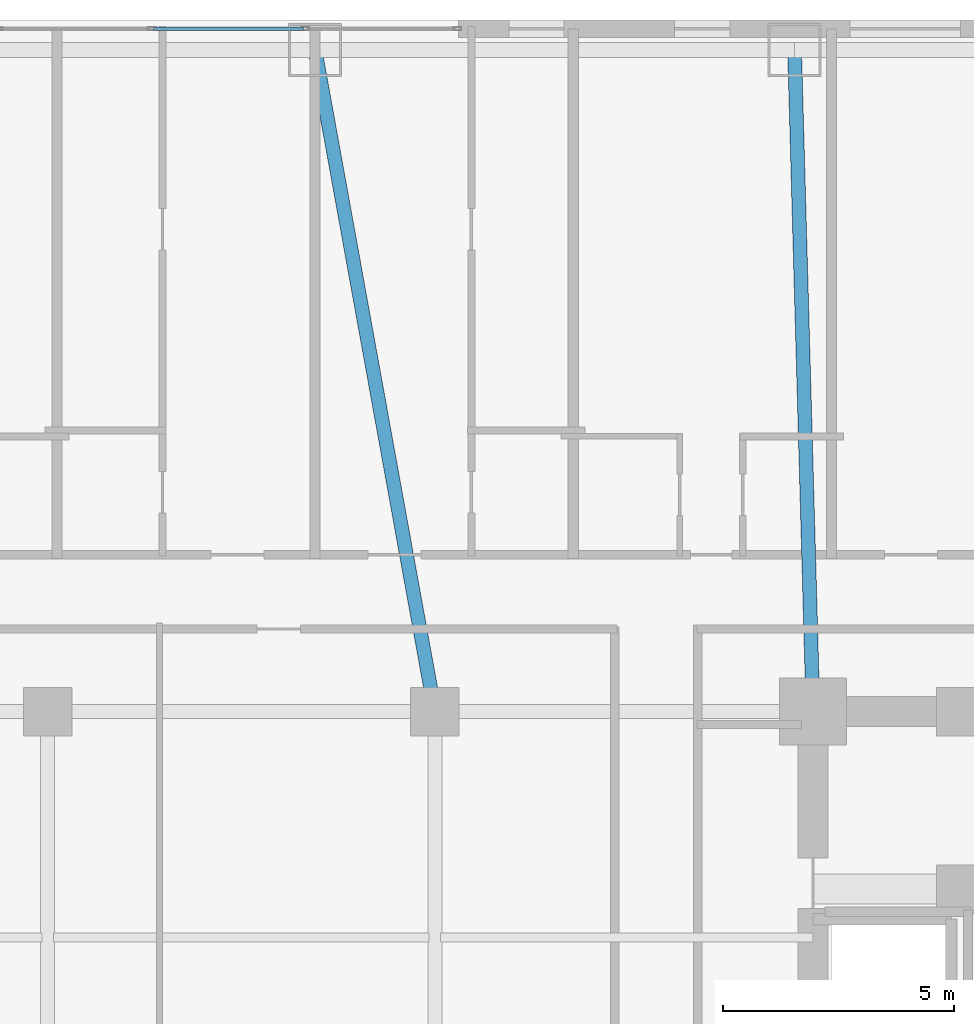
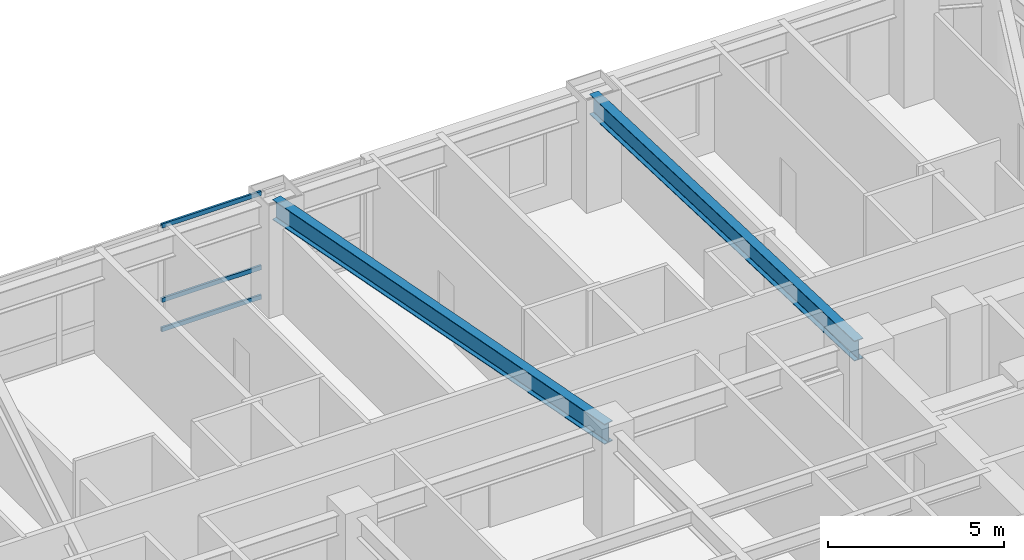
# One storey, part 17 of 28: 3 members, 2 beams, 1 element without a shape of its own.
"""IFC4 building model written with IfcOpenShell, lengths in metres."""

from ifc_helpers import new_model, si_unit, direction, frame, origin, origin_2d, place, context, subcontext, project, spatial, hollow_rectangle, i_section, extrude, material, layer, layer_set, material_profile, profile_set, type_object, element, aggregate, save


model = new_model("IFC4")

# Units and contexts
model_context = context("Model", 3, precision=1e-05, world=origin(), true_north=direction((0.0, 1.0)))
body_context = subcontext(model_context, "Body", "Model", "MODEL_VIEW")
ifc_project = project(units=[si_unit("LENGTHUNIT", "METRE"), si_unit("AREAUNIT", "SQUARE_METRE"), si_unit("VOLUMEUNIT", "CUBIC_METRE"), si_unit("PLANEANGLEUNIT", "RADIAN"), si_unit("MASSUNIT", "GRAM", prefix="KILO")], contexts=[model_context])

# Site, building, storey
site_placement = place(None, origin())
site = spatial("IfcSite", under=ifc_project, at=site_placement, CompositionType="ELEMENT")
building_placement = place(site_placement, origin())
building = spatial("IfcBuilding", under=site, at=building_placement, Name="Voryun Gate Residences", CompositionType="ELEMENT")
storey_placement = place(building_placement, frame((0.0, 0.0, 61.10009765625)))
storey = spatial("IfcBuildingStorey", under=building, at=storey_placement, Name="L14", CompositionType="ELEMENT", Elevation=61.10009765625)

# Beams
ifc_material_1 = material(Name="Steel SM355", Category="steel")
ifc_material_profile_1 = material_profile(ifc_material_1, i_section(OverallWidth=0.300048828125, OverallDepth=0.699951171875, WebThickness=0.012939453125, FlangeThickness=0.02392578125, FilletRadius=0.01806640625, at=origin_2d()), Name="H-700x300x13x24")
ifc_profile_set_1 = profile_set([ifc_material_profile_1], Name="Steel SM355")
beam_type = type_object("IfcBeamType", Name="BM_GIRD_700", PredefinedType="USERDEFINED", material=ifc_profile_set_1)
beam_1_placement = place(storey_placement, frame((12.39990234375, 7.39990234375, 3.2998046875), z_axis=(-0.0278567548, 0.999611925305, 0.0), x_axis=(-0.999611925305, -0.0278567548, 0.0)))
element("IfcBeam", 1, at=beam_1_placement, inside=storey, type_object=beam_type, Name="BM-L14-RAD-N2", ObjectType="GIRDER", PredefinedType="USERDEFINED", context=body_context, shape_type="SweptSolid", body=[
    extrude(i_section(OverallWidth=0.300048828125, OverallDepth=0.699951171875, WebThickness=0.012939453125, FlangeThickness=0.02392578125, FilletRadius=0.01806640625, at=origin_2d()), origin(), (0.0, 0.0, 1.0), 14.355712890625),
])
beam_2_placement = place(storey_placement, frame((4.199951171875, 7.39990234375, 3.2998046875), z_axis=(-0.178271088758, 0.983981411874, 0.0), x_axis=(-0.983981411874, -0.178271088758, 0.0)))
element("IfcBeam", 2, at=beam_2_placement, inside=storey, type_object=beam_type, Name="BM-L14-RAD-N3", ObjectType="GIRDER", PredefinedType="USERDEFINED", context=body_context, shape_type="SweptSolid", body=[
    extrude(i_section(OverallWidth=0.300048828125, OverallDepth=0.699951171875, WebThickness=0.012939453125, FlangeThickness=0.02392578125, FilletRadius=0.01806640625, at=origin_2d()), origin(), (0.0, 0.0, 1.0), 14.583740234375),
])

# Curtain wall, members
ifc_material_2 = material(Name="Anodised aluminium", Category="aluminium")
ifc_layer = layer(ifc_material_2, 0.179931640625, Name="CW_SYS_RES_A_DARK_GLASS")
ifc_layer_set = layer_set([ifc_layer], Name="Anodised aluminium")
curtain_wall_type = type_object("IfcCurtainWallType", Name="CW_SYS_RES_A_DARK_GLASS", PredefinedType="NOTDEFINED", material=ifc_layer_set)
curtain_wall_placement = place(storey_placement, origin())
curtain_wall = element("IfcCurtainWall", 3, at=curtain_wall_placement, inside=storey, type_object=curtain_wall_type, Name="Curtain wall CWT-L14-11", PredefinedType="NOTDEFINED")
ifc_material_3 = material(Name="Anodised aluminium", Category="aluminium")
ifc_material_profile_2 = material_profile(ifc_material_3, hollow_rectangle(XDim=0.070068359375, YDim=0.14990234375, WallThickness=0.00390625, at=origin_2d()), Name="ALU-TRAN-150x70x4")
ifc_profile_set_2 = profile_set([ifc_material_profile_2], Name="Anodised aluminium")
member_type = type_object("IfcMemberType", Name="CW_TRAN_RES", PredefinedType="USERDEFINED", material=ifc_profile_set_2)
member_1_placement = place(storey_placement, frame((-1.9072265625, 22.2099609375, 0.02978515625), z_axis=(1.0, 0.0, 0.0), x_axis=(0.0, 1.0, 0.0)))
member_1 = element("IfcMember", 4, at=member_1_placement, type_object=member_type, Name="CW3 transom 4.1", ObjectType="TRANSOM", PredefinedType="USERDEFINED", context=body_context, shape_type="SweptSolid", body=[
    extrude(hollow_rectangle(XDim=0.070068359375, YDim=0.14990234375, WallThickness=0.00390625, at=origin_2d()), origin(), (0.0, 0.0, 1.0), 3.265625),
])
member_2_placement = place(storey_placement, frame((-1.9072265625, 22.2099609375, 1.0498046875), z_axis=(1.0, 0.0, 0.0), x_axis=(0.0, 1.0, 0.0)))
member_2 = element("IfcMember", 5, at=member_2_placement, type_object=member_type, Name="CW3 transom 4.2", ObjectType="TRANSOM", PredefinedType="USERDEFINED", context=body_context, shape_type="SweptSolid", body=[
    extrude(hollow_rectangle(XDim=0.070068359375, YDim=0.14990234375, WallThickness=0.00390625, at=origin_2d()), origin(), (0.0, 0.0, 1.0), 3.265625),
])
member_3_placement = place(storey_placement, frame((-1.9072265625, 22.2099609375, 3.619873046875), z_axis=(1.0, 0.0, 0.0), x_axis=(0.0, 1.0, 0.0)))
member_3 = element("IfcMember", 6, at=member_3_placement, type_object=member_type, Name="CW3 transom 4.3", ObjectType="TRANSOM", PredefinedType="USERDEFINED", context=body_context, shape_type="SweptSolid", body=[
    extrude(hollow_rectangle(XDim=0.070068359375, YDim=0.14990234375, WallThickness=0.00390625, at=origin_2d()), origin(), (0.0, 0.0, 1.0), 3.265625),
])
aggregate(curtain_wall, [member_1, member_2, member_3])

save(model, "model.ifc")
